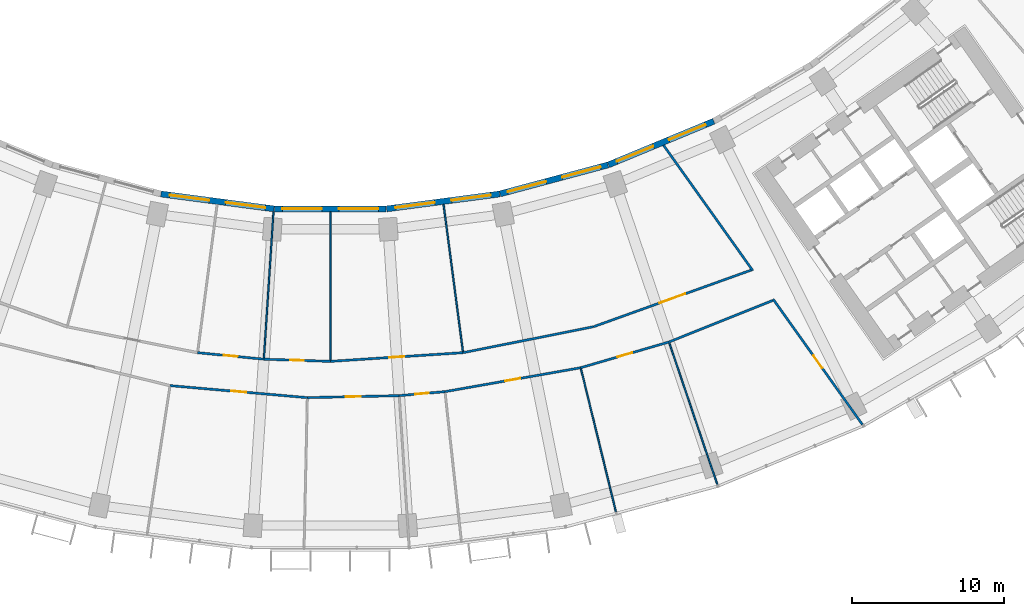
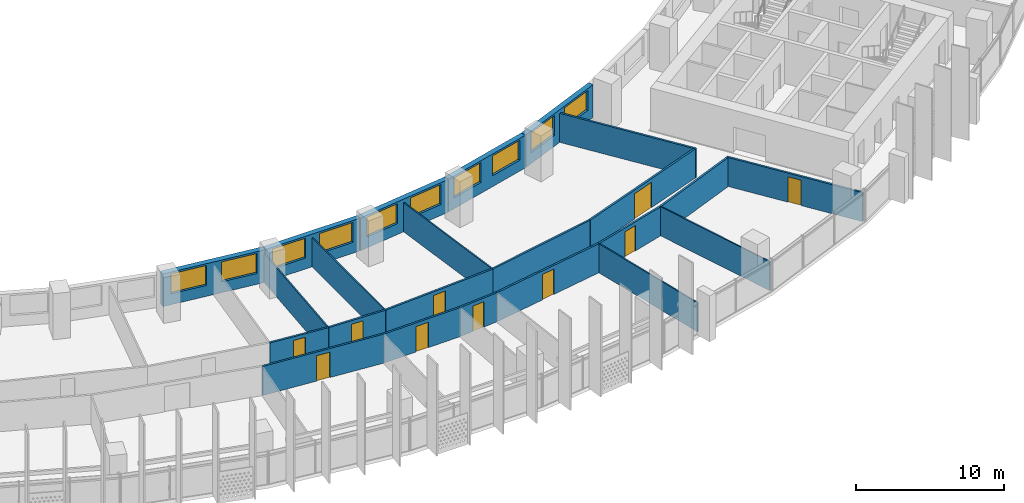
# One storey, part 6 of 30: 23 walls, 10 doors, 10 windows, 20 openings.
"""IFC4 building model written with IfcOpenShell, lengths in metres."""

from ifc_helpers import new_model, si_unit, direction, frame, frame_2d, origin, place, context, subcontext, project, spatial, rectangle, extrude, material, layer, layer_set, type_object, element, fill, save


model = new_model("IFC4")

# Units and contexts
model_context = context("Model", 3, precision=1e-05, world=origin(), true_north=direction((0.0, 1.0)))
body_context = subcontext(model_context, "Body", "Model", "MODEL_VIEW")
ifc_project = project(units=[si_unit("LENGTHUNIT", "METRE"), si_unit("AREAUNIT", "SQUARE_METRE"), si_unit("VOLUMEUNIT", "CUBIC_METRE"), si_unit("PLANEANGLEUNIT", "RADIAN"), si_unit("MASSUNIT", "GRAM", prefix="KILO")], contexts=[model_context])

# Site, building, storey
site_placement = place(None, origin())
site = spatial("IfcSite", under=ifc_project, at=site_placement, CompositionType="ELEMENT")
building_placement = place(site_placement, origin())
building = spatial("IfcBuilding", under=site, at=building_placement, Name="Qamariyya Broadcast Tower", CompositionType="ELEMENT")
storey_placement = place(building_placement, frame((0.0, 0.0, 125.300048828125)))
storey = spatial("IfcBuildingStorey", under=building, at=storey_placement, Name="L28", CompositionType="ELEMENT", Elevation=125.300048828125)

# Wall, opening, door
ifc_material_1 = material(Name="Gypsum board partition")
ifc_layer_1 = layer(ifc_material_1, 0.14990234375)
ifc_layer_set_1 = layer_set([ifc_layer_1], Name="Corridor partition 150 EI 60")
wall_type_1 = type_object("IfcWallType", Name="Corridor partition 150 EI 60", PredefinedType="PARTITIONING", material=ifc_layer_set_1)
wall_1_placement = place(storey_placement, frame((-1.511474609375, -69.18359375, 0.0), z_axis=(0.0, 0.0, 1.0), x_axis=(-0.996190935779, 0.087198735491, 0.0)))
wall_1 = element("IfcWall", 1, at=wall_1_placement, inside=storey, type_object=wall_type_1, Name="Partition L28-017", PredefinedType="PARTITIONING", context=body_context, shape_type="SweptSolid", body=[
    extrude(rectangle(XDim=9.0517578125, YDim=0.14990234375, at=frame_2d((4.52587890625, 0.0))), origin(), (0.0, 0.0, 1.0), 2.39990234375),
])
opening_1_placement = place(wall_1_placement, frame((4.02587890625, 0.0, 0.0)))
opening_1 = element("IfcOpeningElement", 2, at=opening_1_placement, cuts=wall_1, Name="Opening L28-D03", PredefinedType="OPENING", context=body_context, shape_type="SweptSolid", body=[
    extrude(rectangle(XDim=1.0, YDim=2.10009765625, at=frame_2d((0.5, 1.050048828125))), frame((0.0, 0.0849609375, 0.0), z_axis=(0.0, -1.0, 0.0), x_axis=(1.0, 0.0, 0.0)), (0.0, 0.0, 1.0), 0.169921875),
])
ifc_material_2 = material(Name="Timber fire door leaf", Category="wood")
door_type_1 = type_object("IfcDoorType", Name="Fire door 1000 x 2100 FD60", OperationType="NOTDEFINED", PredefinedType="DOOR", material=ifc_material_2)
door_1_placement = place(opening_1_placement, origin())
door_1 = element("IfcDoor", 3, at=door_1_placement, inside=storey, type_object=door_type_1, Name="Door L28-D03", OperationType="SINGLE_SWING_RIGHT", OverallHeight=2.10009765625, OverallWidth=1.0, PredefinedType="DOOR", context=body_context, shape_type="SweptSolid", body=[
    extrude(rectangle(XDim=1.0, YDim=2.10009765625, at=frame_2d((0.5, 1.050048828125))), frame((0.0, 0.02490234375, 0.0), z_axis=(0.0, -1.0, 0.0), x_axis=(1.0, 0.0, 0.0)), (0.0, 0.0, 1.0), 0.050048828125),
])
fill(opening_1, door_1)

wall_2_placement = place(storey_placement, frame((-8.71923828125, -66.228515625, 0.0), z_axis=(0.0, 0.0, 1.0), x_axis=(0.995184826457, -0.098016127192, 0.0)))
wall_2 = element("IfcWall", 4, at=wall_2_placement, inside=storey, type_object=wall_type_1, Name="Partition L28-018", PredefinedType="PARTITIONING", context=body_context, shape_type="SweptSolid", body=[
    extrude(rectangle(XDim=4.371337890625, YDim=0.14990234375, at=frame_2d((2.185546875, 0.0))), origin(), (0.0, 0.0, 1.0), 2.39990234375),
])
opening_2_placement = place(wall_2_placement, frame((1.735595703125, 0.0, 0.0)))
opening_2 = element("IfcOpeningElement", 5, at=opening_2_placement, cuts=wall_2, Name="Opening L28-D11", PredefinedType="OPENING", context=body_context, shape_type="SweptSolid", body=[
    extrude(rectangle(XDim=0.89990234375, YDim=2.10009765625, at=frame_2d((0.449951171875, 1.050048828125))), frame((0.0, 0.0849609375, 0.0), z_axis=(0.0, -1.0, 0.0), x_axis=(1.0, 0.0, 0.0)), (0.0, 0.0, 1.0), 0.169921875),
])
door_type_2 = type_object("IfcDoorType", Name="Fire door 900 x 2100 FD60", OperationType="NOTDEFINED", PredefinedType="DOOR", material=ifc_material_2)
door_2_placement = place(opening_2_placement, origin())
door_2 = element("IfcDoor", 6, at=door_2_placement, inside=storey, type_object=door_type_2, Name="Door L28-D11", OperationType="SINGLE_SWING_RIGHT", OverallHeight=2.10009765625, OverallWidth=0.89990234375, PredefinedType="DOOR", context=body_context, shape_type="SweptSolid", body=[
    extrude(rectangle(XDim=0.89990234375, YDim=2.10009765625, at=frame_2d((0.449951171875, 1.050048828125))), frame((0.0, 0.02490234375, 0.0), z_axis=(0.0, -1.0, 0.0), x_axis=(1.0, 0.0, 0.0)), (0.0, 0.0, 1.0), 0.050048828125),
])
fill(opening_2, door_2)

wall_3_placement = place(storey_placement, frame((-4.368896484375, -66.656982421875, 0.0), z_axis=(0.0, 0.0, 1.0), x_axis=(0.99946426167, -0.03272903366, 0.0)))
wall_3 = element("IfcWall", 7, at=wall_3_placement, inside=storey, type_object=wall_type_1, Name="Partition L28-020", PredefinedType="PARTITIONING", context=body_context, shape_type="SweptSolid", body=[
    extrude(rectangle(XDim=4.371337890625, YDim=0.14990234375, at=frame_2d((2.185546875, 0.0))), origin(), (0.0, 0.0, 1.0), 2.39990234375),
])
opening_3_placement = place(wall_3_placement, frame((1.735595703125, 0.0, 0.0)))
opening_3 = element("IfcOpeningElement", 8, at=opening_3_placement, cuts=wall_3, Name="Opening L28-D12", PredefinedType="OPENING", context=body_context, shape_type="SweptSolid", body=[
    extrude(rectangle(XDim=0.89990234375, YDim=2.10009765625, at=frame_2d((0.449951171875, 1.050048828125))), frame((0.0, 0.0849609375, 0.0), z_axis=(0.0, -1.0, 0.0), x_axis=(1.0, 0.0, 0.0)), (0.0, 0.0, 1.0), 0.169921875),
])
door_3_placement = place(opening_3_placement, origin())
door_3 = element("IfcDoor", 9, at=door_3_placement, inside=storey, type_object=door_type_2, Name="Door L28-D12", OperationType="SINGLE_SWING_RIGHT", OverallHeight=2.10009765625, OverallWidth=0.89990234375, PredefinedType="DOOR", context=body_context, shape_type="SweptSolid", body=[
    extrude(rectangle(XDim=0.89990234375, YDim=2.10009765625, at=frame_2d((0.449951171875, 1.050048828125))), frame((0.0, 0.02490234375, 0.0), z_axis=(0.0, -1.0, 0.0), x_axis=(1.0, 0.0, 0.0)), (0.0, 0.0, 1.0), 0.050048828125),
])
fill(opening_3, door_3)

wall_4_placement = place(storey_placement, frame((4.52587890625, -69.0517578125, 0.0), z_axis=(0.0, 0.0, 1.0), x_axis=(-0.999761664283, -0.021831505468, 0.0)))
wall_4 = element("IfcWall", 10, at=wall_4_placement, inside=storey, type_object=wall_type_1, Name="Partition L28-023", PredefinedType="PARTITIONING", context=body_context, shape_type="SweptSolid", body=[
    extrude(rectangle(XDim=6.038818359375, YDim=0.14990234375, at=frame_2d((3.01953125, 0.0))), origin(), (0.0, 0.0, 1.0), 2.39990234375),
])
opening_4_placement = place(wall_4_placement, frame((2.51953125, 0.0, 0.0)))
opening_4 = element("IfcOpeningElement", 11, at=opening_4_placement, cuts=wall_4, Name="Opening L28-D04", PredefinedType="OPENING", context=body_context, shape_type="SweptSolid", body=[
    extrude(rectangle(XDim=1.0, YDim=2.10009765625, at=frame_2d((0.5, 1.050048828125))), frame((0.0, 0.0849609375, 0.0), z_axis=(0.0, -1.0, 0.0), x_axis=(1.0, 0.0, 0.0)), (0.0, 0.0, 1.0), 0.169921875),
])
door_4_placement = place(opening_4_placement, origin())
door_4 = element("IfcDoor", 12, at=door_4_placement, inside=storey, type_object=door_type_1, Name="Door L28-D04", OperationType="SINGLE_SWING_RIGHT", OverallHeight=2.10009765625, OverallWidth=1.0, PredefinedType="DOOR", context=body_context, shape_type="SweptSolid", body=[
    extrude(rectangle(XDim=1.0, YDim=2.10009765625, at=frame_2d((0.5, 1.050048828125))), frame((0.0, 0.02490234375, 0.0), z_axis=(0.0, -1.0, 0.0), x_axis=(1.0, 0.0, 0.0)), (0.0, 0.0, 1.0), 0.050048828125),
])
fill(opening_4, door_4)

wall_5_placement = place(storey_placement, frame((0.0, -66.800048828125, 0.0), z_axis=(0.0, 0.0, 1.0), x_axis=(0.997858593599, 0.065408158359, 0.0)))
wall_5 = element("IfcWall", 13, at=wall_5_placement, inside=storey, type_object=wall_type_1, Name="Partition L28-024", PredefinedType="PARTITIONING", context=body_context, shape_type="SweptSolid", body=[
    extrude(rectangle(XDim=8.738037109375, YDim=0.14990234375, at=frame_2d((4.369140625, 0.0))), origin(), (0.0, 0.0, 1.0), 2.39990234375),
])
opening_5_placement = place(wall_5_placement, frame((3.868896484375, 0.0, 0.0)))
opening_5 = element("IfcOpeningElement", 14, at=opening_5_placement, cuts=wall_5, Name="Opening L28-D13", PredefinedType="OPENING", context=body_context, shape_type="SweptSolid", body=[
    extrude(rectangle(XDim=1.0, YDim=2.10009765625, at=frame_2d((0.5, 1.050048828125))), frame((0.0, 0.0849609375, 0.0), z_axis=(0.0, -1.0, 0.0), x_axis=(1.0, 0.0, 0.0)), (0.0, 0.0, 1.0), 0.169921875),
])
door_5_placement = place(opening_5_placement, origin())
door_5 = element("IfcDoor", 15, at=door_5_placement, inside=storey, type_object=door_type_1, Name="Door L28-D13", OperationType="SINGLE_SWING_RIGHT", OverallHeight=2.10009765625, OverallWidth=1.0, PredefinedType="DOOR", context=body_context, shape_type="SweptSolid", body=[
    extrude(rectangle(XDim=1.0, YDim=2.10009765625, at=frame_2d((0.5, 1.050048828125))), frame((0.0, 0.02490234375, 0.0), z_axis=(0.0, -1.0, 0.0), x_axis=(1.0, 0.0, 0.0)), (0.0, 0.0, 1.0), 0.050048828125),
])
fill(opening_5, door_5)

wall_6_placement = place(storey_placement, frame((7.53173828125, -68.788818359375, 0.0), z_axis=(0.0, 0.0, 1.0), x_axis=(-0.996195825022, -0.087142860912, 0.0)))
wall_6 = element("IfcWall", 16, at=wall_6_placement, inside=storey, type_object=wall_type_1, Name="Partition L28-026", PredefinedType="PARTITIONING", context=body_context, shape_type="SweptSolid", body=[
    extrude(rectangle(XDim=3.017333984375, YDim=0.14990234375, at=frame_2d((1.5087890625, 0.0))), origin(), (0.0, 0.0, 1.0), 2.39990234375),
])
opening_6_placement = place(wall_6_placement, frame((1.05859375, 0.0, 0.0)))
opening_6 = element("IfcOpeningElement", 17, at=opening_6_placement, cuts=wall_6, Name="Opening L28-D05", PredefinedType="OPENING", context=body_context, shape_type="SweptSolid", body=[
    extrude(rectangle(XDim=0.89990234375, YDim=2.10009765625, at=frame_2d((0.449951171875, 1.050048828125))), frame((0.0, 0.0849609375, 0.0), z_axis=(0.0, -1.0, 0.0), x_axis=(1.0, 0.0, 0.0)), (0.0, 0.0, 1.0), 0.169921875),
])
door_6_placement = place(opening_6_placement, origin())
door_6 = element("IfcDoor", 18, at=door_6_placement, inside=storey, type_object=door_type_2, Name="Door L28-D05", OperationType="SINGLE_SWING_RIGHT", OverallHeight=2.10009765625, OverallWidth=0.89990234375, PredefinedType="DOOR", context=body_context, shape_type="SweptSolid", body=[
    extrude(rectangle(XDim=0.89990234375, YDim=2.10009765625, at=frame_2d((0.449951171875, 1.050048828125))), frame((0.0, 0.02490234375, 0.0), z_axis=(0.0, -1.0, 0.0), x_axis=(1.0, 0.0, 0.0)), (0.0, 0.0, 1.0), 0.050048828125),
])
fill(opening_6, door_6)

wall_7_placement = place(storey_placement, frame((16.446044921875, -67.21728515625, 0.0), z_axis=(0.0, 0.0, 1.0), x_axis=(-0.984813412134, -0.173616080133, 0.0)))
wall_7 = element("IfcWall", 19, at=wall_7_placement, inside=storey, type_object=wall_type_1, Name="Partition L28-029", PredefinedType="PARTITIONING", context=body_context, shape_type="SweptSolid", body=[
    extrude(rectangle(XDim=9.0517578125, YDim=0.14990234375, at=frame_2d((4.52587890625, 0.0))), origin(), (0.0, 0.0, 1.0), 2.39990234375),
])
opening_7_placement = place(wall_7_placement, frame((4.02587890625, 0.0, 0.0)))
opening_7 = element("IfcOpeningElement", 20, at=opening_7_placement, cuts=wall_7, Name="Opening L28-D06", PredefinedType="OPENING", context=body_context, shape_type="SweptSolid", body=[
    extrude(rectangle(XDim=1.0, YDim=2.10009765625, at=frame_2d((0.5, 1.050048828125))), frame((0.0, 0.0849609375, 0.0), z_axis=(0.0, -1.0, 0.0), x_axis=(1.0, 0.0, 0.0)), (0.0, 0.0, 1.0), 0.169921875),
])
door_7_placement = place(opening_7_placement, origin())
door_7 = element("IfcDoor", 21, at=door_7_placement, inside=storey, type_object=door_type_1, Name="Door L28-D06", OperationType="SINGLE_SWING_RIGHT", OverallHeight=2.10009765625, OverallWidth=1.0, PredefinedType="DOOR", context=body_context, shape_type="SweptSolid", body=[
    extrude(rectangle(XDim=1.0, YDim=2.10009765625, at=frame_2d((0.5, 1.050048828125))), frame((0.0, 0.02490234375, 0.0), z_axis=(0.0, -1.0, 0.0), x_axis=(1.0, 0.0, 0.0)), (0.0, 0.0, 1.0), 0.050048828125),
])
fill(opening_7, door_7)

# Wall
wall_8_placement = place(storey_placement, frame((8.71923828125, -66.228515625, 0.0), z_axis=(0.0, 0.0, 1.0), x_axis=(0.980787736115, 0.195077975915, 0.0)))
element("IfcWall", 22, at=wall_8_placement, inside=storey, type_object=wall_type_1, Name="Partition L28-031", PredefinedType="PARTITIONING", context=body_context, shape_type="SweptSolid", body=[
    extrude(rectangle(XDim=8.729248046875, YDim=0.14990234375, at=frame_2d((4.36474609375, 0.0))), origin(), (0.0, 0.0, 1.0), 2.39990234375),
])

# Wall, opening, door
wall_9_placement = place(storey_placement, frame((22.24365234375, -65.527587890625, 0.0), z_axis=(0.0, 0.0, 1.0), x_axis=(-0.960056580345, -0.279805937279, 0.0)))
wall_9 = element("IfcWall", 23, at=wall_9_placement, inside=storey, type_object=wall_type_1, Name="Partition L28-032", PredefinedType="PARTITIONING", context=body_context, shape_type="SweptSolid", body=[
    extrude(rectangle(XDim=6.038818359375, YDim=0.14990234375, at=frame_2d((3.01953125, 0.0))), origin(), (0.0, 0.0, 1.0), 2.39990234375),
])
opening_8_placement = place(wall_9_placement, frame((2.51953125, 0.0, 0.0)))
opening_8 = element("IfcOpeningElement", 24, at=opening_8_placement, cuts=wall_9, Name="Opening L28-D07", PredefinedType="OPENING", context=body_context, shape_type="SweptSolid", body=[
    extrude(rectangle(XDim=1.0, YDim=2.10009765625, at=frame_2d((0.5, 1.050048828125))), frame((0.0, 0.0849609375, 0.0), z_axis=(0.0, -1.0, 0.0), x_axis=(1.0, 0.0, 0.0)), (0.0, 0.0, 1.0), 0.169921875),
])
door_8_placement = place(opening_8_placement, origin())
door_8 = element("IfcDoor", 25, at=door_8_placement, inside=storey, type_object=door_type_1, Name="Door L28-D07", OperationType="SINGLE_SWING_RIGHT", OverallHeight=2.10009765625, OverallWidth=1.0, PredefinedType="DOOR", context=body_context, shape_type="SweptSolid", body=[
    extrude(rectangle(XDim=1.0, YDim=2.10009765625, at=frame_2d((0.5, 1.050048828125))), frame((0.0, 0.02490234375, 0.0), z_axis=(0.0, -1.0, 0.0), x_axis=(1.0, 0.0, 0.0)), (0.0, 0.0, 1.0), 0.050048828125),
])
fill(opening_8, door_8)

wall_10_placement = place(storey_placement, frame((17.297119140625, -64.52099609375, 0.0), z_axis=(0.0, 0.0, 1.0), x_axis=(0.941151914592, 0.337983836389, 0.0)))
wall_10 = element("IfcWall", 26, at=wall_10_placement, inside=storey, type_object=wall_type_1, Name="Partition L28-033", PredefinedType="PARTITIONING", context=body_context, shape_type="SweptSolid", body=[
    extrude(rectangle(XDim=10.98974609375, YDim=0.14990234375, at=frame_2d((5.494873046875, 0.0))), origin(), (0.0, 0.0, 1.0), 2.39990234375),
])
opening_9_placement = place(wall_10_placement, frame((4.5947265625, 0.0, 0.0)))
opening_9 = element("IfcOpeningElement", 27, at=opening_9_placement, cuts=wall_10, Name="Opening L28-D14", PredefinedType="OPENING", context=body_context, shape_type="SweptSolid", body=[
    extrude(rectangle(XDim=1.800048828125, YDim=2.10009765625, at=frame_2d((0.89990234375, 1.050048828125))), frame((0.0, 0.0849609375, 0.0), z_axis=(0.0, -1.0, 0.0), x_axis=(1.0, 0.0, 0.0)), (0.0, 0.0, 1.0), 0.169921875),
])
door_type_3 = type_object("IfcDoorType", Name="Double fire door 1800 x 2100 FD60", OperationType="NOTDEFINED", PredefinedType="DOOR", material=ifc_material_2)
door_9_placement = place(opening_9_placement, origin())
door_9 = element("IfcDoor", 28, at=door_9_placement, inside=storey, type_object=door_type_3, Name="Door L28-D14", OperationType="DOUBLE_DOOR_SINGLE_SWING", OverallHeight=2.10009765625, OverallWidth=1.800048828125, PredefinedType="DOOR", context=body_context, shape_type="SweptSolid", body=[
    extrude(rectangle(XDim=1.800048828125, YDim=2.10009765625, at=frame_2d((0.89990234375, 1.050048828125))), frame((0.0, 0.02490234375, 0.0), z_axis=(0.0, -1.0, 0.0), x_axis=(1.0, 0.0, 0.0)), (0.0, 0.0, 1.0), 0.050048828125),
])
fill(opening_9, door_9)

# Walls
wall_11_placement = place(storey_placement, frame((21.8837890625, -52.59765625, 0.0), z_axis=(0.0, 0.0, 1.0), x_axis=(0.580016763963, -0.814604538118, 0.0)))
element("IfcWall", 29, at=wall_11_placement, inside=storey, type_object=wall_type_1, Name="Partition L28-035", PredefinedType="PARTITIONING", context=body_context, shape_type="SweptSolid", body=[
    extrude(rectangle(XDim=10.12109375, YDim=0.14990234375, at=frame_2d((5.060546875, 0.0))), origin(), (0.0, 0.0, 1.0), 2.39990234375),
])
wall_12_placement = place(storey_placement, frame((22.24365234375, -65.527587890625, 0.0), z_axis=(0.0, 0.0, 1.0), x_axis=(0.92834358791, 0.371723261025, 0.0)))
element("IfcWall", 30, at=wall_12_placement, inside=storey, type_object=wall_type_1, Name="Partition L28-036", PredefinedType="PARTITIONING", context=body_context, shape_type="SweptSolid", body=[
    extrude(rectangle(XDim=7.340087890625, YDim=0.14990234375, at=frame_2d((3.669921875, 0.0))), origin(), (0.0, 0.0, 1.0), 2.39990234375),
])

# Wall, opening, door
wall_13_placement = place(storey_placement, frame((34.95751953125, -70.958984375, 0.0), z_axis=(0.0, 0.0, 1.0), x_axis=(-0.580031092611, 0.814594335608, 0.0)))
wall_13 = element("IfcWall", 31, at=wall_13_placement, inside=storey, type_object=wall_type_1, Name="Partition L28-038", PredefinedType="PARTITIONING", context=body_context, shape_type="SweptSolid", body=[
    extrude(rectangle(XDim=10.126220703125, YDim=0.14990234375, at=frame_2d((5.06298828125, 0.0))), origin(), (0.0, 0.0, 1.0), 2.39990234375),
])
opening_10_placement = place(wall_13_placement, frame((4.563232421875, 0.0, 0.0)))
opening_10 = element("IfcOpeningElement", 32, at=opening_10_placement, cuts=wall_13, Name="Opening L28-D08", PredefinedType="OPENING", context=body_context, shape_type="SweptSolid", body=[
    extrude(rectangle(XDim=1.0, YDim=2.10009765625, at=frame_2d((0.5, 1.050048828125))), frame((0.0, 0.0849609375, 0.0), z_axis=(0.0, -1.0, 0.0), x_axis=(1.0, 0.0, 0.0)), (0.0, 0.0, 1.0), 0.169921875),
])
door_10_placement = place(opening_10_placement, origin())
door_10 = element("IfcDoor", 33, at=door_10_placement, inside=storey, type_object=door_type_1, Name="Door L28-D08", OperationType="SINGLE_SWING_RIGHT", OverallHeight=2.10009765625, OverallWidth=1.0, PredefinedType="DOOR", context=body_context, shape_type="SweptSolid", body=[
    extrude(rectangle(XDim=1.0, YDim=2.10009765625, at=frame_2d((0.5, 1.050048828125))), frame((0.0, 0.02490234375, 0.0), z_axis=(0.0, -1.0, 0.0), x_axis=(1.0, 0.0, 0.0)), (0.0, 0.0, 1.0), 0.050048828125),
])
fill(opening_10, door_10)

# Walls
ifc_layer_2 = layer(ifc_material_1, 0.10009765625)
ifc_layer_set_2 = layer_set([ifc_layer_2], Name="Partition 100")
wall_type_2 = type_object("IfcWallType", Name="Partition 100", PredefinedType="PARTITIONING", material=ifc_layer_set_2)
wall_14_placement = place(storey_placement, frame((-3.734619140625, -56.977783203125, 0.0), z_axis=(0.0, 0.0, 1.0), x_axis=(-0.065392665599, -0.997859609006, 0.0)))
element("IfcWall", 34, at=wall_14_placement, inside=storey, type_object=wall_type_2, Name="Partition L28-021", PredefinedType="PARTITIONING", context=body_context, shape_type="SweptSolid", body=[
    extrude(rectangle(XDim=9.624755859375, YDim=0.10009765625, at=frame_2d((4.8125, 0.0))), origin(), (0.0, 0.0, 1.0), 2.39990234375),
])
wall_15_placement = place(storey_placement, frame((0.0, -56.978515625, 0.0), z_axis=(0.0, 0.0, 1.0), x_axis=(0.0, -1.0, 0.0)))
element("IfcWall", 35, at=wall_15_placement, inside=storey, type_object=wall_type_2, Name="Partition L28-025", PredefinedType="PARTITIONING", context=body_context, shape_type="SweptSolid", body=[
    extrude(rectangle(XDim=9.74658203125, YDim=0.10009765625, at=frame_2d((4.873291015625, 0.0))), origin(), (0.0, 0.0, 1.0), 2.39990234375),
])
wall_16_placement = place(storey_placement, frame((7.437255859375, -56.4912109375, 0.0), z_axis=(0.0, 0.0, 1.0), x_axis=(0.13053421433, -0.99144380521, 0.0)))
element("IfcWall", 36, at=wall_16_placement, inside=storey, type_object=wall_type_2, Name="Partition L28-028", PredefinedType="PARTITIONING", context=body_context, shape_type="SweptSolid", body=[
    extrude(rectangle(XDim=9.746337890625, YDim=0.10009765625, at=frame_2d((4.873046875, 0.0))), origin(), (0.0, 0.0, 1.0), 2.39990234375),
])
wall_17_placement = place(storey_placement, frame((18.762939453125, -76.68701171875, 0.0), z_axis=(0.0, 0.0, 1.0), x_axis=(-0.237657357205, 0.971349051869, 0.0)))
element("IfcWall", 37, at=wall_17_placement, inside=storey, type_object=wall_type_2, Name="Partition L28-034", PredefinedType="PARTITIONING", context=body_context, shape_type="SweptSolid", body=[
    extrude(rectangle(XDim=9.673828125, YDim=0.10009765625, at=frame_2d((4.8369140625, 0.0))), origin(), (0.0, 0.0, 1.0), 2.39990234375),
])
wall_18_placement = place(storey_placement, frame((25.42578125, -74.902099609375, 0.0), z_axis=(0.0, 0.0, 1.0), x_axis=(-0.3214264651, 0.94693454237, 0.0)))
element("IfcWall", 38, at=wall_18_placement, inside=storey, type_object=wall_type_2, Name="Partition L28-037", PredefinedType="PARTITIONING", context=body_context, shape_type="SweptSolid", body=[
    extrude(rectangle(XDim=9.82470703125, YDim=0.10009765625, at=frame_2d((4.912353515625, 0.0))), origin(), (0.0, 0.0, 1.0), 2.39990234375),
])

# Wall, openings, windows
ifc_material_3 = material(Name="Terracotta", Category="masonry")
ifc_layer_3 = layer(ifc_material_3, 0.39990234375)
ifc_layer_set_3 = layer_set([ifc_layer_3], Name="Terracotta clad wall 400")
wall_type_3 = type_object("IfcWallType", Name="Terracotta clad wall 400", PredefinedType="SOLIDWALL", material=ifc_layer_set_3)
wall_19_placement = place(storey_placement, frame((11.12548828125, -55.803955078125, 0.0), z_axis=(0.0, 0.0, 1.0), x_axis=(-0.991444533306, -0.130528684121, 0.0)))
wall_19 = element("IfcWall", 39, at=wall_19_placement, inside=storey, type_object=wall_type_3, Name="e-wl-L28-in100", PredefinedType="SOLIDWALL", context=body_context, shape_type="SweptSolid", body=[
    extrude(rectangle(XDim=7.492919921875, YDim=0.39990234375, at=frame_2d((3.74658203125, 0.0))), origin(), (0.0, 0.0, 1.0), 2.699951171875),
])
opening_11_placement = place(wall_19_placement, frame((4.300537109375, 0.0, 0.89990234375)))
opening_11 = element("IfcOpeningElement", 40, at=opening_11_placement, cuts=wall_19, Name="Opening W1", PredefinedType="OPENING", context=body_context, shape_type="SweptSolid", body=[
    extrude(rectangle(XDim=2.60009765625, YDim=1.64990234375, at=frame_2d((1.300048828125, 0.824951171875))), frame((0.0, 0.2099609375, 0.0), z_axis=(0.0, -1.0, 0.0), x_axis=(1.0, 0.0, 0.0)), (0.0, 0.0, 1.0), 0.419921875),
])
opening_12_placement = place(wall_19_placement, frame((0.59228515625, 0.0, 0.89990234375)))
opening_12 = element("IfcOpeningElement", 41, at=opening_12_placement, cuts=wall_19, Name="Opening W1", PredefinedType="OPENING", context=body_context, shape_type="SweptSolid", body=[
    extrude(rectangle(XDim=2.60009765625, YDim=1.64990234375, at=frame_2d((1.300048828125, 0.824951171875))), frame((0.0, 0.2099609375, 0.0), z_axis=(0.0, -1.0, 0.0), x_axis=(1.0, 0.0, 0.0)), (0.0, 0.0, 1.0), 0.419921875),
])
ifc_material_4 = material(Name="Clear low-e double glazed unit in aluminium frame", Category="aluminium")
window_type = type_object("IfcWindowType", Name="Ribbon window 2600 x 1650", PartitioningType="SINGLE_PANEL", PredefinedType="WINDOW", material=ifc_material_4)
window_1_placement = place(opening_11_placement, origin())
window_1 = element("IfcWindow", 42, at=window_1_placement, inside=storey, type_object=window_type, Name="e-w-L28-in10-0", OverallHeight=1.64990234375, OverallWidth=2.60009765625, PartitioningType="SINGLE_PANEL", PredefinedType="WINDOW", context=body_context, shape_type="SweptSolid", body=[
    extrude(rectangle(XDim=2.60009765625, YDim=1.64990234375, at=frame_2d((1.300048828125, 0.824951171875))), frame((0.0, 0.030029296875, 0.0), z_axis=(0.0, -1.0, 0.0), x_axis=(1.0, 0.0, 0.0)), (0.0, 0.0, 1.0), 0.06005859375),
])
fill(opening_11, window_1)
window_2_placement = place(opening_12_placement, origin())
window_2 = element("IfcWindow", 43, at=window_2_placement, inside=storey, type_object=window_type, Name="e-w-L28-in10-1", OverallHeight=1.64990234375, OverallWidth=2.60009765625, PartitioningType="SINGLE_PANEL", PredefinedType="WINDOW", context=body_context, shape_type="SweptSolid", body=[
    extrude(rectangle(XDim=2.60009765625, YDim=1.64990234375, at=frame_2d((1.300048828125, 0.824951171875))), frame((0.0, 0.030029296875, 0.0), z_axis=(0.0, -1.0, 0.0), x_axis=(1.0, 0.0, 0.0)), (0.0, 0.0, 1.0), 0.06005859375),
])
fill(opening_12, window_2)

wall_20_placement = place(storey_placement, frame((18.240966796875, -53.893798828125, 0.0), z_axis=(0.0, 0.0, 1.0), x_axis=(-0.965924597867, -0.258823629594, 0.0)))
wall_20 = element("IfcWall", 44, at=wall_20_placement, inside=storey, type_object=wall_type_3, Name="e-wl-L28-in110", PredefinedType="SOLIDWALL", context=body_context, shape_type="SweptSolid", body=[
    extrude(rectangle(XDim=7.341552734375, YDim=0.39990234375, at=frame_2d((3.6708984375, 0.0))), origin(), (0.0, 0.0, 1.0), 2.699951171875),
])
opening_13_placement = place(wall_20_placement, frame((4.224853515625, 0.0, 0.89990234375)))
opening_13 = element("IfcOpeningElement", 45, at=opening_13_placement, cuts=wall_20, Name="Opening W1", PredefinedType="OPENING", context=body_context, shape_type="SweptSolid", body=[
    extrude(rectangle(XDim=2.60009765625, YDim=1.64990234375, at=frame_2d((1.300048828125, 0.824951171875))), frame((0.0, 0.2099609375, 0.0), z_axis=(0.0, -1.0, 0.0), x_axis=(1.0, 0.0, 0.0)), (0.0, 0.0, 1.0), 0.419921875),
])
opening_14_placement = place(wall_20_placement, frame((0.5166015625, 0.0, 0.89990234375)))
opening_14 = element("IfcOpeningElement", 46, at=opening_14_placement, cuts=wall_20, Name="Opening W1", PredefinedType="OPENING", context=body_context, shape_type="SweptSolid", body=[
    extrude(rectangle(XDim=2.60009765625, YDim=1.64990234375, at=frame_2d((1.300048828125, 0.824951171875))), frame((0.0, 0.2099609375, 0.0), z_axis=(0.0, -1.0, 0.0), x_axis=(1.0, 0.0, 0.0)), (0.0, 0.0, 1.0), 0.419921875),
])
window_3_placement = place(opening_13_placement, origin())
window_3 = element("IfcWindow", 47, at=window_3_placement, inside=storey, type_object=window_type, Name="e-w-L28-in11-0", OverallHeight=1.64990234375, OverallWidth=2.60009765625, PartitioningType="SINGLE_PANEL", PredefinedType="WINDOW", context=body_context, shape_type="SweptSolid", body=[
    extrude(rectangle(XDim=2.60009765625, YDim=1.64990234375, at=frame_2d((1.300048828125, 0.824951171875))), frame((0.0, 0.030029296875, 0.0), z_axis=(0.0, -1.0, 0.0), x_axis=(1.0, 0.0, 0.0)), (0.0, 0.0, 1.0), 0.06005859375),
])
fill(opening_13, window_3)
window_4_placement = place(opening_14_placement, origin())
window_4 = element("IfcWindow", 48, at=window_4_placement, inside=storey, type_object=window_type, Name="e-w-L28-in11-1", OverallHeight=1.64990234375, OverallWidth=2.60009765625, PartitioningType="SINGLE_PANEL", PredefinedType="WINDOW", context=body_context, shape_type="SweptSolid", body=[
    extrude(rectangle(XDim=2.60009765625, YDim=1.64990234375, at=frame_2d((1.300048828125, 0.824951171875))), frame((0.0, 0.030029296875, 0.0), z_axis=(0.0, -1.0, 0.0), x_axis=(1.0, 0.0, 0.0)), (0.0, 0.0, 1.0), 0.06005859375),
])
fill(opening_14, window_4)

wall_21_placement = place(storey_placement, frame((25.189453125, -51.02294921875, 0.0), z_axis=(0.0, 0.0, 1.0), x_axis=(-0.923879826967, -0.382682721486, 0.0)))
wall_21 = element("IfcWall", 49, at=wall_21_placement, inside=storey, type_object=wall_type_3, Name="e-wl-L28-in120", PredefinedType="SOLIDWALL", context=body_context, shape_type="SweptSolid", body=[
    extrude(rectangle(XDim=7.492919921875, YDim=0.39990234375, at=frame_2d((3.74658203125, 0.0))), origin(), (0.0, 0.0, 1.0), 2.699951171875),
])
opening_15_placement = place(wall_21_placement, frame((4.300537109375, 0.0, 0.89990234375)))
opening_15 = element("IfcOpeningElement", 50, at=opening_15_placement, cuts=wall_21, Name="Opening W1", PredefinedType="OPENING", context=body_context, shape_type="SweptSolid", body=[
    extrude(rectangle(XDim=2.60009765625, YDim=1.64990234375, at=frame_2d((1.300048828125, 0.824951171875))), frame((0.0, 0.2099609375, 0.0), z_axis=(0.0, -1.0, 0.0), x_axis=(1.0, 0.0, 0.0)), (0.0, 0.0, 1.0), 0.419921875),
])
opening_16_placement = place(wall_21_placement, frame((0.59228515625, 0.0, 0.89990234375)))
opening_16 = element("IfcOpeningElement", 51, at=opening_16_placement, cuts=wall_21, Name="Opening W1", PredefinedType="OPENING", context=body_context, shape_type="SweptSolid", body=[
    extrude(rectangle(XDim=2.60009765625, YDim=1.64990234375, at=frame_2d((1.300048828125, 0.824951171875))), frame((0.0, 0.2099609375, 0.0), z_axis=(0.0, -1.0, 0.0), x_axis=(1.0, 0.0, 0.0)), (0.0, 0.0, 1.0), 0.419921875),
])
window_5_placement = place(opening_15_placement, origin())
window_5 = element("IfcWindow", 52, at=window_5_placement, inside=storey, type_object=window_type, Name="e-w-L28-in12-0", OverallHeight=1.64990234375, OverallWidth=2.60009765625, PartitioningType="SINGLE_PANEL", PredefinedType="WINDOW", context=body_context, shape_type="SweptSolid", body=[
    extrude(rectangle(XDim=2.60009765625, YDim=1.64990234375, at=frame_2d((1.300048828125, 0.824951171875))), frame((0.0, 0.030029296875, 0.0), z_axis=(0.0, -1.0, 0.0), x_axis=(1.0, 0.0, 0.0)), (0.0, 0.0, 1.0), 0.06005859375),
])
fill(opening_15, window_5)
window_6_placement = place(opening_16_placement, origin())
window_6 = element("IfcWindow", 53, at=window_6_placement, inside=storey, type_object=window_type, Name="e-w-L28-in12-1", OverallHeight=1.64990234375, OverallWidth=2.60009765625, PartitioningType="SINGLE_PANEL", PredefinedType="WINDOW", context=body_context, shape_type="SweptSolid", body=[
    extrude(rectangle(XDim=2.60009765625, YDim=1.64990234375, at=frame_2d((1.300048828125, 0.824951171875))), frame((0.0, 0.030029296875, 0.0), z_axis=(0.0, -1.0, 0.0), x_axis=(1.0, 0.0, 0.0)), (0.0, 0.0, 1.0), 0.06005859375),
])
fill(opening_16, window_6)

wall_22_placement = place(storey_placement, frame((-3.69677734375, -56.781982421875, 0.0), z_axis=(0.0, 0.0, 1.0), x_axis=(-0.991444533306, 0.130528684121, 0.0)))
wall_22 = element("IfcWall", 54, at=wall_22_placement, inside=storey, type_object=wall_type_3, Name="e-wl-L28-in80", PredefinedType="SOLIDWALL", context=body_context, shape_type="SweptSolid", body=[
    extrude(rectangle(XDim=7.492919921875, YDim=0.39990234375, at=frame_2d((3.74658203125, 0.0))), origin(), (0.0, 0.0, 1.0), 2.699951171875),
])
opening_17_placement = place(wall_22_placement, frame((4.300537109375, 0.0, 0.89990234375)))
opening_17 = element("IfcOpeningElement", 55, at=opening_17_placement, cuts=wall_22, Name="Opening W1", PredefinedType="OPENING", context=body_context, shape_type="SweptSolid", body=[
    extrude(rectangle(XDim=2.60009765625, YDim=1.64990234375, at=frame_2d((1.300048828125, 0.824951171875))), frame((0.0, 0.2099609375, 0.0), z_axis=(0.0, -1.0, 0.0), x_axis=(1.0, 0.0, 0.0)), (0.0, 0.0, 1.0), 0.419921875),
])
opening_18_placement = place(wall_22_placement, frame((0.59228515625, 0.0, 0.89990234375)))
opening_18 = element("IfcOpeningElement", 56, at=opening_18_placement, cuts=wall_22, Name="Opening W1", PredefinedType="OPENING", context=body_context, shape_type="SweptSolid", body=[
    extrude(rectangle(XDim=2.60009765625, YDim=1.64990234375, at=frame_2d((1.300048828125, 0.824951171875))), frame((0.0, 0.2099609375, 0.0), z_axis=(0.0, -1.0, 0.0), x_axis=(1.0, 0.0, 0.0)), (0.0, 0.0, 1.0), 0.419921875),
])
window_7_placement = place(opening_17_placement, origin())
window_7 = element("IfcWindow", 57, at=window_7_placement, inside=storey, type_object=window_type, Name="e-w-L28-in08-0", OverallHeight=1.64990234375, OverallWidth=2.60009765625, PartitioningType="SINGLE_PANEL", PredefinedType="WINDOW", context=body_context, shape_type="SweptSolid", body=[
    extrude(rectangle(XDim=2.60009765625, YDim=1.64990234375, at=frame_2d((1.300048828125, 0.824951171875))), frame((0.0, 0.030029296875, 0.0), z_axis=(0.0, -1.0, 0.0), x_axis=(1.0, 0.0, 0.0)), (0.0, 0.0, 1.0), 0.06005859375),
])
fill(opening_17, window_7)
window_8_placement = place(opening_18_placement, origin())
window_8 = element("IfcWindow", 58, at=window_8_placement, inside=storey, type_object=window_type, Name="e-w-L28-in08-1", OverallHeight=1.64990234375, OverallWidth=2.60009765625, PartitioningType="SINGLE_PANEL", PredefinedType="WINDOW", context=body_context, shape_type="SweptSolid", body=[
    extrude(rectangle(XDim=2.60009765625, YDim=1.64990234375, at=frame_2d((1.300048828125, 0.824951171875))), frame((0.0, 0.030029296875, 0.0), z_axis=(0.0, -1.0, 0.0), x_axis=(1.0, 0.0, 0.0)), (0.0, 0.0, 1.0), 0.06005859375),
])
fill(opening_18, window_8)

wall_23_placement = place(storey_placement, frame((3.670654296875, -56.778564453125, 0.0), z_axis=(0.0, 0.0, 1.0), x_axis=(-1.0, 0.0, 0.0)))
wall_23 = element("IfcWall", 59, at=wall_23_placement, inside=storey, type_object=wall_type_3, Name="e-wl-L28-in90", PredefinedType="SOLIDWALL", context=body_context, shape_type="SweptSolid", body=[
    extrude(rectangle(XDim=7.34130859375, YDim=0.39990234375, at=frame_2d((3.670654296875, 0.0))), origin(), (0.0, 0.0, 1.0), 2.699951171875),
])
opening_19_placement = place(wall_23_placement, frame((4.224853515625, 0.0, 0.89990234375)))
opening_19 = element("IfcOpeningElement", 60, at=opening_19_placement, cuts=wall_23, Name="Opening W1", PredefinedType="OPENING", context=body_context, shape_type="SweptSolid", body=[
    extrude(rectangle(XDim=2.60009765625, YDim=1.64990234375, at=frame_2d((1.300048828125, 0.824951171875))), frame((0.0, 0.2099609375, 0.0), z_axis=(0.0, -1.0, 0.0), x_axis=(1.0, 0.0, 0.0)), (0.0, 0.0, 1.0), 0.419921875),
])
opening_20_placement = place(wall_23_placement, frame((0.5166015625, 0.0, 0.89990234375)))
opening_20 = element("IfcOpeningElement", 61, at=opening_20_placement, cuts=wall_23, Name="Opening W1", PredefinedType="OPENING", context=body_context, shape_type="SweptSolid", body=[
    extrude(rectangle(XDim=2.60009765625, YDim=1.64990234375, at=frame_2d((1.300048828125, 0.824951171875))), frame((0.0, 0.2099609375, 0.0), z_axis=(0.0, -1.0, 0.0), x_axis=(1.0, 0.0, 0.0)), (0.0, 0.0, 1.0), 0.419921875),
])
window_9_placement = place(opening_19_placement, origin())
window_9 = element("IfcWindow", 62, at=window_9_placement, inside=storey, type_object=window_type, Name="e-w-L28-in09-0", OverallHeight=1.64990234375, OverallWidth=2.60009765625, PartitioningType="SINGLE_PANEL", PredefinedType="WINDOW", context=body_context, shape_type="SweptSolid", body=[
    extrude(rectangle(XDim=2.60009765625, YDim=1.64990234375, at=frame_2d((1.300048828125, 0.824951171875))), frame((0.0, 0.030029296875, 0.0), z_axis=(0.0, -1.0, 0.0), x_axis=(1.0, 0.0, 0.0)), (0.0, 0.0, 1.0), 0.06005859375),
])
fill(opening_19, window_9)
window_10_placement = place(opening_20_placement, origin())
window_10 = element("IfcWindow", 63, at=window_10_placement, inside=storey, type_object=window_type, Name="e-w-L28-in09-1", OverallHeight=1.64990234375, OverallWidth=2.60009765625, PartitioningType="SINGLE_PANEL", PredefinedType="WINDOW", context=body_context, shape_type="SweptSolid", body=[
    extrude(rectangle(XDim=2.60009765625, YDim=1.64990234375, at=frame_2d((1.300048828125, 0.824951171875))), frame((0.0, 0.030029296875, 0.0), z_axis=(0.0, -1.0, 0.0), x_axis=(1.0, 0.0, 0.0)), (0.0, 0.0, 1.0), 0.06005859375),
])
fill(opening_20, window_10)

save(model, "model.ifc")
